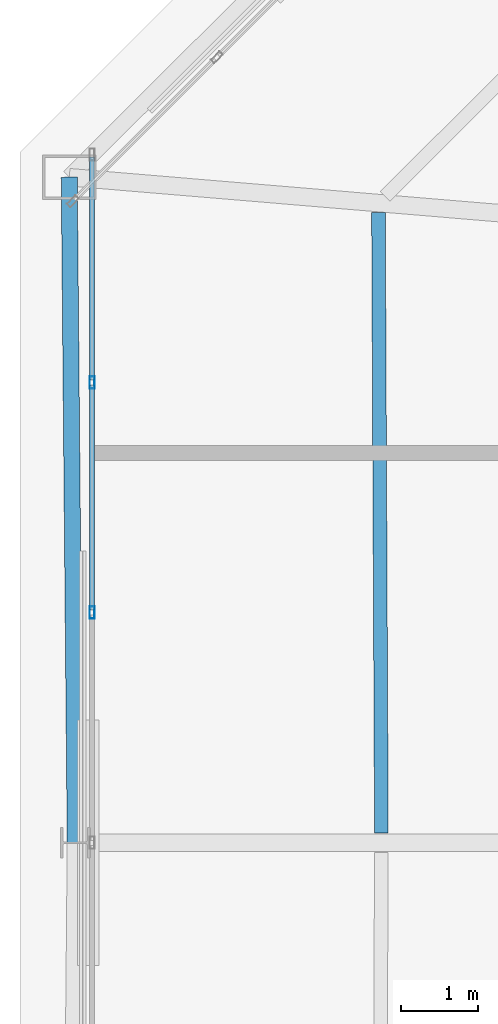
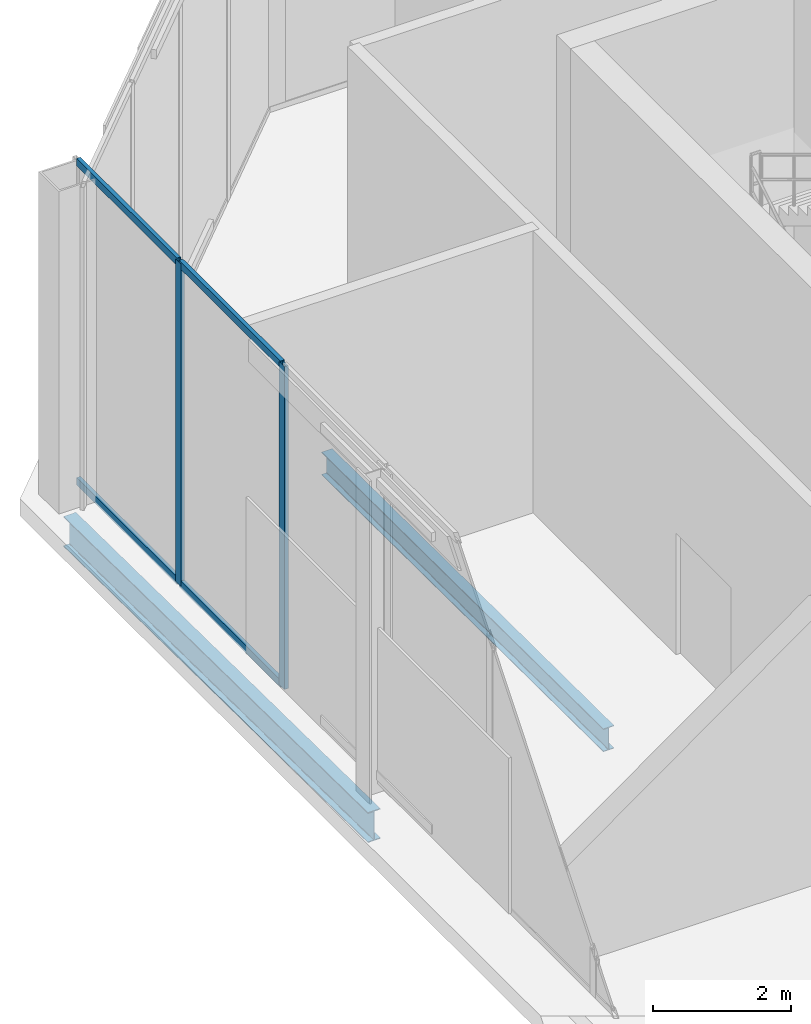
# One storey, part 8 of 20: 6 members, 2 beams, 1 element without a shape of its own.
"""IFC4 building model written with IfcOpenShell, lengths in metres."""

from ifc_helpers import new_model, si_unit, direction, frame, origin, origin_2d, place, context, subcontext, project, spatial, hollow_rectangle, i_section, extrude, material, layer, layer_set, material_profile, profile_set, type_object, element, aggregate, save


model = new_model("IFC4")

# Units and contexts
model_context = context("Model", 3, precision=1e-05, world=origin(), true_north=direction((0.0, 1.0)))
body_context = subcontext(model_context, "Body", "Model", "MODEL_VIEW")
ifc_project = project(units=[si_unit("LENGTHUNIT", "METRE"), si_unit("AREAUNIT", "SQUARE_METRE"), si_unit("VOLUMEUNIT", "CUBIC_METRE"), si_unit("PLANEANGLEUNIT", "RADIAN"), si_unit("MASSUNIT", "GRAM", prefix="KILO")], contexts=[model_context])

# Site, building, storey
site_placement = place(None, origin())
site = spatial("IfcSite", under=ifc_project, at=site_placement, CompositionType="ELEMENT")
building_placement = place(site_placement, origin())
building = spatial("IfcBuilding", under=site, at=building_placement, Name="Caelvoria Tower", CompositionType="ELEMENT")
storey_placement = place(building_placement, frame((0.0, 0.0, 284.199951171875)))
storey = spatial("IfcBuildingStorey", under=building, at=storey_placement, Name="C1", CompositionType="ELEMENT", Elevation=284.199951171875)

# Curtain wall, members
ifc_material_1 = material(Name="Anodised Bronze Aluminium and Low-E Glass", Category="aluminium")
ifc_layer = layer(ifc_material_1, 0.179931640625, Name="Anodised Bronze Aluminium and Low-E Glass")
ifc_layer_set = layer_set([ifc_layer], Name="CW System 6 Slanted Crown Bronze Screen Facade - Anodised Bronze Aluminium and Low-E Glass")
curtain_wall_type = type_object("IfcCurtainWallType", Name="CW System 6 Slanted Crown Bronze Screen Facade", PredefinedType="NOTDEFINED", material=ifc_layer_set)
curtain_wall_placement = place(storey_placement, origin())
curtain_wall = element("IfcCurtainWall", 1, at=curtain_wall_placement, inside=storey, type_object=curtain_wall_type, Name="CW-06 Curtain Wall C1-E6", PredefinedType="NOTDEFINED")
ifc_material_2 = material(Name="Anodised Bronze Architectural Aluminium", Category="aluminium")
ifc_material_profile_1 = material_profile(ifc_material_2, hollow_rectangle(XDim=0.06494140625, YDim=0.159912109375, WallThickness=0.00390625, at=origin_2d()), Name="Anodised Bronze Architectural Aluminium")
ifc_profile_set_1 = profile_set([ifc_material_profile_1], Name="CW_MULL_65X160 - Anodised Bronze Architectural Aluminium")
member_type_1 = type_object("IfcMemberType", Name="Curtain Wall Mullion 65x160 Bronze Aluminium", PredefinedType="MULLION", material=ifc_profile_set_1)
member_1_placement = place(storey_placement, frame((29.239990234375, 38.0, 0.0), z_axis=(0.0, 0.0, 1.0), x_axis=(1.0, 0.0, 0.0)))
member_1 = element("IfcMember", 2, at=member_1_placement, type_object=member_type_1, Name="CW-06 mullion 2", PredefinedType="MULLION", context=body_context, shape_type="SweptSolid", body=[
    extrude(hollow_rectangle(XDim=0.06494140625, YDim=0.159912109375, WallThickness=0.00390625, at=origin_2d()), origin(), (0.0, 0.0, 1.0), 5.699951171875),
])
member_2_placement = place(storey_placement, frame((29.239990234375, 35.0, 0.0), z_axis=(0.0, 0.0, 1.0), x_axis=(1.0, 0.0, 0.0)))
member_2 = element("IfcMember", 3, at=member_2_placement, type_object=member_type_1, Name="CW-06 mullion 3", PredefinedType="MULLION", context=body_context, shape_type="SweptSolid", body=[
    extrude(hollow_rectangle(XDim=0.06494140625, YDim=0.159912109375, WallThickness=0.00390625, at=origin_2d()), origin(), (0.0, 0.0, 1.0), 5.699951171875),
])
ifc_material_profile_2 = material_profile(ifc_material_2, hollow_rectangle(XDim=0.06494140625, YDim=0.1298828125, WallThickness=0.00341796875, at=origin_2d()), Name="Anodised Bronze Architectural Aluminium")
ifc_profile_set_2 = profile_set([ifc_material_profile_2], Name="CW_TRAN_65X130 - Anodised Bronze Architectural Aluminium")
member_type_2 = type_object("IfcMemberType", Name="Curtain Wall Transom 65x130 Bronze Aluminium", PredefinedType="USERDEFINED", material=ifc_profile_set_2)
member_3_placement = place(storey_placement, frame((29.239990234375, 40.93505859375, 0.032470703125), z_axis=(0.0, -1.0, 0.0), x_axis=(1.0, 0.0, 0.0)))
member_3 = element("IfcMember", 4, at=member_3_placement, type_object=member_type_2, Name="CW-06 transom 1.1", ObjectType="TRANSOM", PredefinedType="USERDEFINED", context=body_context, shape_type="SweptSolid", body=[
    extrude(hollow_rectangle(XDim=0.06494140625, YDim=0.1298828125, WallThickness=0.00341796875, at=origin_2d()), origin(), (0.0, 0.0, 1.0), 2.902587890625),
])
member_4_placement = place(storey_placement, frame((29.239990234375, 40.93505859375, 5.66748046875), z_axis=(0.0, -1.0, 0.0), x_axis=(1.0, 0.0, 0.0)))
member_4 = element("IfcMember", 5, at=member_4_placement, type_object=member_type_2, Name="CW-06 transom 1.2", ObjectType="TRANSOM", PredefinedType="USERDEFINED", context=body_context, shape_type="SweptSolid", body=[
    extrude(hollow_rectangle(XDim=0.06494140625, YDim=0.1298828125, WallThickness=0.00341796875, at=origin_2d()), origin(), (0.0, 0.0, 1.0), 2.902587890625),
])
member_5_placement = place(storey_placement, frame((29.239990234375, 37.967529296875, 0.032470703125), z_axis=(0.0, -1.0, 0.0), x_axis=(1.0, 0.0, 0.0)))
member_5 = element("IfcMember", 6, at=member_5_placement, type_object=member_type_2, Name="CW-06 transom 2.1", ObjectType="TRANSOM", PredefinedType="USERDEFINED", context=body_context, shape_type="SweptSolid", body=[
    extrude(hollow_rectangle(XDim=0.06494140625, YDim=0.1298828125, WallThickness=0.00341796875, at=origin_2d()), origin(), (0.0, 0.0, 1.0), 2.93505859375),
])
member_6_placement = place(storey_placement, frame((29.239990234375, 37.967529296875, 5.66748046875), z_axis=(0.0, -1.0, 0.0), x_axis=(1.0, 0.0, 0.0)))
member_6 = element("IfcMember", 7, at=member_6_placement, type_object=member_type_2, Name="CW-06 transom 2.2", ObjectType="TRANSOM", PredefinedType="USERDEFINED", context=body_context, shape_type="SweptSolid", body=[
    extrude(hollow_rectangle(XDim=0.06494140625, YDim=0.1298828125, WallThickness=0.00341796875, at=origin_2d()), origin(), (0.0, 0.0, 1.0), 2.93505859375),
])
aggregate(curtain_wall, [member_1, member_2, member_3, member_4, member_5, member_6])

# Beams
ifc_material_3 = material(Name="Structural Steel ASTM A992 Gr.50", Category="steel")
ifc_material_profile_3 = material_profile(ifc_material_3, i_section(OverallWidth=0.177978515625, OverallDepth=0.406982421875, WebThickness=0.0078125, FlangeThickness=0.0126953125, FilletRadius=0.013916015625, at=origin_2d()), Name="Structural Steel ASTM A992 Gr.50")
ifc_profile_set_3 = profile_set([ifc_material_profile_3], Name="W410X60 - Structural Steel ASTM A992 Gr.50")
beam_type_1 = type_object("IfcBeamType", Name="Secondary Floor Beam W410X60", PredefinedType="BEAM", material=ifc_profile_set_3)
beam_1_placement = place(storey_placement, frame((32.971435546875, 40.2119140625, -0.50341796875), z_axis=(0.00470952391, -0.999988910131, 0.0), x_axis=(0.999988910131, 0.00470952391, 0.0)))
element("IfcBeam", 8, at=beam_1_placement, inside=storey, type_object=beam_type_1, Name="Secondary Floor Beam C1-09", PredefinedType="BEAM", context=body_context, shape_type="SweptSolid", body=[
    extrude(i_section(OverallWidth=0.177978515625, OverallDepth=0.406982421875, WebThickness=0.0078125, FlangeThickness=0.0126953125, FilletRadius=0.013916015625, at=origin_2d()), origin(), (0.0, 0.0, 1.0), 8.0869140625),
])
ifc_material_profile_4 = material_profile(ifc_material_3, i_section(OverallWidth=0.208984375, OverallDepth=0.532958984375, WebThickness=0.01025390625, FlangeThickness=0.015625, FilletRadius=0.01611328125, at=origin_2d()), Name="Structural Steel ASTM A992 Gr.50")
ifc_profile_set_4 = profile_set([ifc_material_profile_4], Name="W530X92 - Structural Steel ASTM A992 Gr.50")
beam_type_2 = type_object("IfcBeamType", Name="Upper Zone Spandrel W530X92", PredefinedType="BEAM", material=ifc_profile_set_4)
beam_2_placement = place(storey_placement, frame((28.94189453125, 40.673583984375, -0.56640625), z_axis=(0.009006868577, -0.999959437337, 0.0), x_axis=(0.999959437337, 0.009006868577, 0.0)))
element("IfcBeam", 9, at=beam_2_placement, inside=storey, type_object=beam_type_2, Name="Perimeter Spandrel Girder C1-09", PredefinedType="BEAM", context=body_context, shape_type="SweptSolid", body=[
    extrude(i_section(OverallWidth=0.208984375, OverallDepth=0.532958984375, WebThickness=0.01025390625, FlangeThickness=0.015625, FilletRadius=0.01611328125, at=origin_2d()), origin(), (0.0, 0.0, 1.0), 8.673828125),
])

save(model, "model.ifc")
